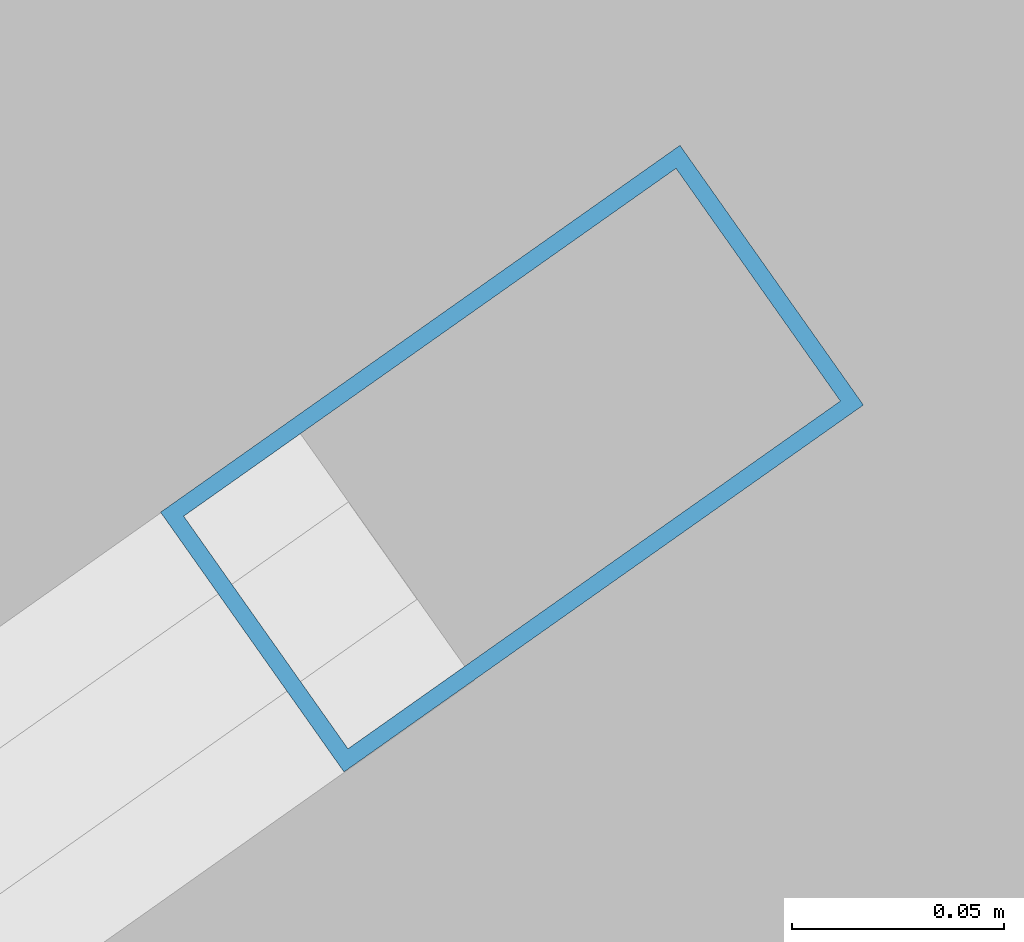
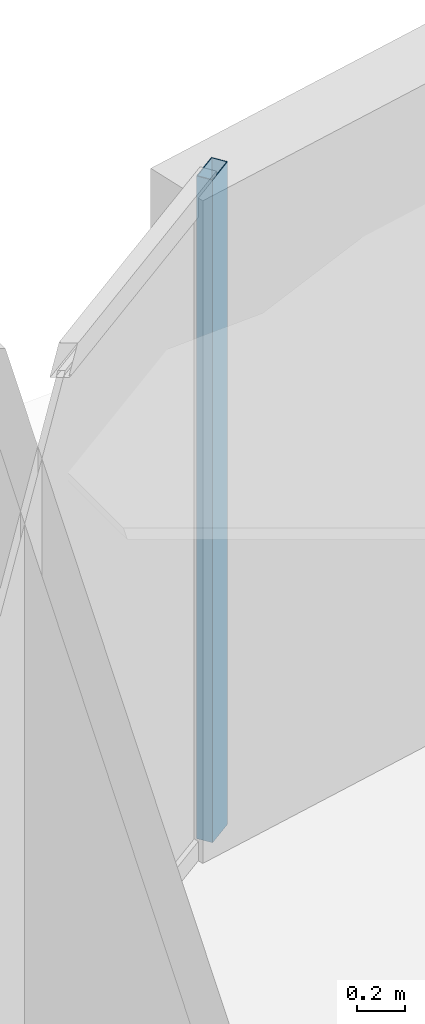
# One storey, part 17 of 32: 1 member, 1 element without a shape of its own.
"""IFC4 building model written with IfcOpenShell, lengths in metres."""

from ifc_helpers import new_model, si_unit, direction, frame, origin, origin_2d, place, context, subcontext, project, spatial, hollow_rectangle, extrude, material, layer, layer_set, material_profile, profile_set, type_object, element, aggregate, save


model = new_model("IFC4")

# Units and contexts
model_context = context("Model", 3, precision=1e-05, world=origin(), true_north=direction((0.0, 1.0)))
body_context = subcontext(model_context, "Body", "Model", "MODEL_VIEW")
ifc_project = project(units=[si_unit("LENGTHUNIT", "METRE"), si_unit("AREAUNIT", "SQUARE_METRE"), si_unit("VOLUMEUNIT", "CUBIC_METRE"), si_unit("PLANEANGLEUNIT", "RADIAN"), si_unit("MASSUNIT", "GRAM", prefix="KILO")], contexts=[model_context])

# Site, building, storey
site_placement = place(None, origin())
site = spatial("IfcSite", under=ifc_project, at=site_placement, CompositionType="ELEMENT")
building_placement = place(site_placement, origin())
building = spatial("IfcBuilding", under=site, at=building_placement, Name="Kazevale Care Tower and Concert Hall", CompositionType="ELEMENT")
storey_placement = place(building_placement, frame((0.0, 0.0, 38.39990234375)))
storey = spatial("IfcBuildingStorey", under=building, at=storey_placement, Name="L09", CompositionType="ELEMENT", Elevation=38.39990234375)

# Curtain wall, member
ifc_material_1 = material(Name="Aluminium 6063-T6 and Low-E Glass", Category="aluminium")
ifc_layer = layer(ifc_material_1, 0.179931640625)
ifc_layer_set = layer_set([ifc_layer], Name="Aluminium 6063-T6 and Low-E Glass")
curtain_wall_type = type_object("IfcCurtainWallType", Name="Convex Recessed Sunroom Curtain Wall CW-3", PredefinedType="NOTDEFINED", material=ifc_layer_set)
curtain_wall_placement = place(storey_placement, origin())
curtain_wall = element("IfcCurtainWall", 1, at=curtain_wall_placement, inside=storey, type_object=curtain_wall_type, Name="cw:L09:f14", PredefinedType="NOTDEFINED")
ifc_material_2 = material(Name="Aluminium 6063-T6", Category="aluminium")
ifc_material_profile = material_profile(ifc_material_2, hollow_rectangle(XDim=0.074951171875, YDim=0.14990234375, WallThickness=0.00390625, at=origin_2d()), Name="ALU75x150x4")
ifc_profile_set = profile_set([ifc_material_profile], Name="Aluminium 6063-T6")
member_type = type_object("IfcMemberType", Name="CW-3 Mullion ALU75x150x4", PredefinedType="MULLION", material=ifc_profile_set)
member_placement = place(storey_placement, frame((25.96435546875, 61.17041015625, 0.0), z_axis=(0.0, 0.0, 1.0), x_axis=(-0.57692895392, 0.816794332821, 0.0)))
member = element("IfcMember", 2, at=member_placement, type_object=member_type, Name="CW-3 mullion 2", PredefinedType="MULLION", context=body_context, shape_type="SweptSolid", body=[
    extrude(hollow_rectangle(XDim=0.074951171875, YDim=0.14990234375, WallThickness=0.00390625, at=origin_2d()), origin(), (0.0, 0.0, 1.0), 3.360107421875),
])
aggregate(curtain_wall, [member])

save(model, "model.ifc")
